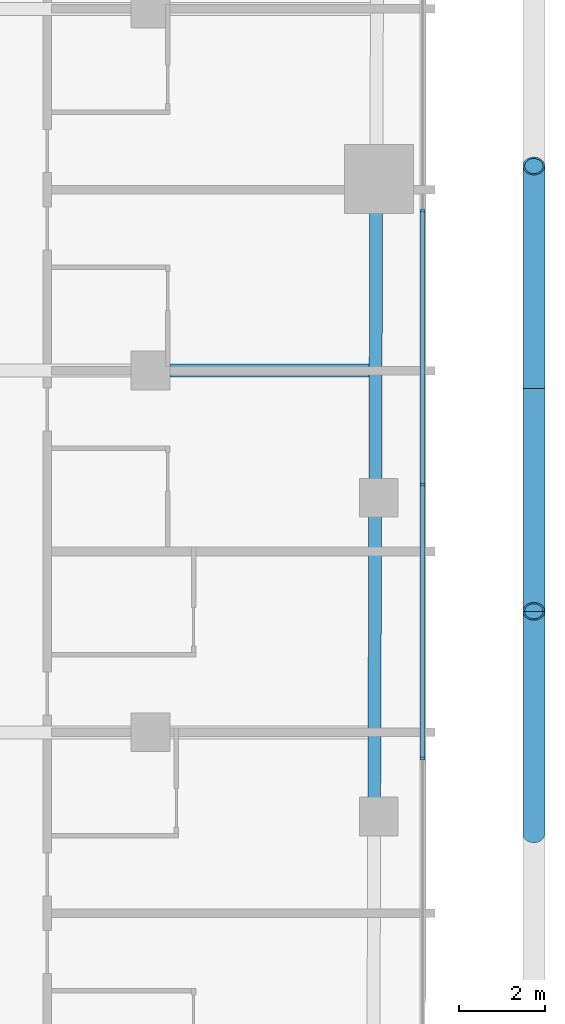
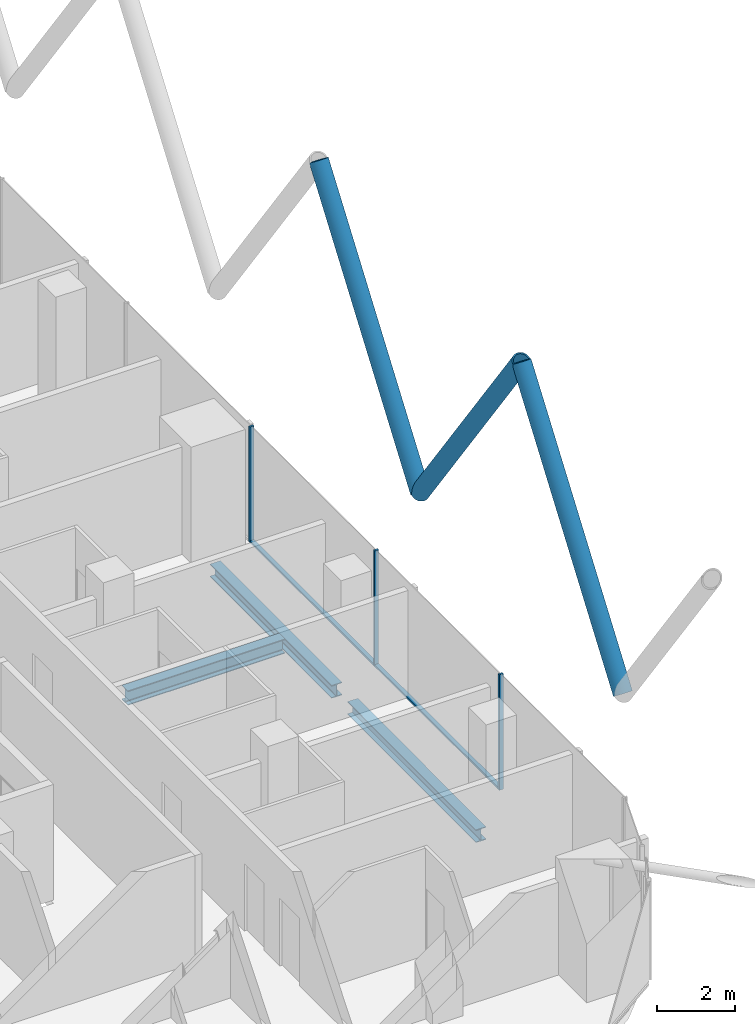
# One storey, part 8 of 33: 8 members, 3 beams, 1 element without a shape of its own.
"""IFC4 building model written with IfcOpenShell, lengths in metres."""

from ifc_helpers import new_model, si_unit, direction, frame, origin, origin_2d, place, context, subcontext, project, spatial, rectangle, hollow_circle, i_section, extrude, material, layer, layer_set, material_profile, profile_set, type_object, element, aggregate, save


model = new_model("IFC4")

# Units and contexts
model_context = context("Model", 3, precision=1e-05, world=origin(), true_north=direction((0.0, 1.0)))
body_context = subcontext(model_context, "Body", "Model", "MODEL_VIEW")
ifc_project = project(units=[si_unit("LENGTHUNIT", "METRE"), si_unit("AREAUNIT", "SQUARE_METRE"), si_unit("VOLUMEUNIT", "CUBIC_METRE"), si_unit("PLANEANGLEUNIT", "RADIAN"), si_unit("MASSUNIT", "GRAM", prefix="KILO")], contexts=[model_context])

# Site, building, storey
site_placement = place(None, origin())
site = spatial("IfcSite", under=ifc_project, at=site_placement, CompositionType="ELEMENT")
building_placement = place(site_placement, origin())
building = spatial("IfcBuilding", under=site, at=building_placement, Name="Marenta Gate Hotel Tower", CompositionType="ELEMENT")
storey_placement = place(building_placement, frame((0.0, 0.0, 137.300048828125)))
storey = spatial("IfcBuildingStorey", under=building, at=storey_placement, Name="L31", CompositionType="ELEMENT", Elevation=137.300048828125)

# Members
ifc_material_1 = material(Name="Steel S355J2W", Category="steel")
ifc_material_profile_1 = material_profile(ifc_material_1, hollow_circle(Radius=0.25390625, WallThickness=0.0400390625, at=origin_2d()), Name="CHS 508x40")
ifc_profile_set_1 = profile_set([ifc_material_profile_1], Name="Steel S355J2W")
member_type_1 = type_object("IfcMemberType", Name="Diagrid diagonal Z2 CHS 508x40", PredefinedType="BRACE", material=ifc_profile_set_1)
member_1_placement = place(storey_placement, frame((29.89990234375, -0.420166015625, 3.139892578125), z_axis=(0.0, 0.583279014058, 0.812271870595), x_axis=(-1.0, 0.0, 0.0)))
element("IfcMember", 1, at=member_1_placement, inside=storey, type_object=member_type_1, Name="L31-DG-6", PredefinedType="BRACE", context=body_context, shape_type="SweptSolid", body=[
    extrude(hollow_circle(Radius=0.25390625, WallThickness=0.0400390625, at=origin_2d()), origin(), (0.0, 0.0, 1.0), 8.864013671875),
])
for number, where, z_axis, x_axis, name in (
    (2, (29.89990234375, -0.420166015625, 3.139892578125), (0.0, -0.583260841117, 0.812284919975), (1.0, 0.0, 0.0), "L31-DG-7"),
    (3, (29.89990234375, -10.760009765625, 3.139892578125), (0.0, 0.583260841117, 0.812284919975), (-1.0, 0.0, 0.0), "L31-DG-8"),
):
    element("IfcMember", number, at=place(storey_placement, frame(where, z_axis=z_axis, x_axis=x_axis)), inside=storey, type_object=member_type_1, Name=name, PredefinedType="BRACE", context=body_context, shape_type="SweptSolid", body=[
        extrude(hollow_circle(Radius=0.25390625, WallThickness=0.0400390625, at=origin_2d()), origin(), (0.0, 0.0, 1.0), 8.86376953125),
    ])

# Beams
ifc_material_2 = material(Name="Steel S355", Category="steel")
ifc_material_profile_2 = material_profile(ifc_material_2, i_section(OverallWidth=0.300048828125, OverallDepth=0.39990234375, WebThickness=0.013427734375, FlangeThickness=0.02392578125, FilletRadius=0.027099609375, at=origin_2d()), Name="HEB 400")
ifc_profile_set_2 = profile_set([ifc_material_profile_2], Name="Steel S355")
beam_type_1 = type_object("IfcBeamType", Name="Edge beam HEB 400", PredefinedType="SPANDREL", material=ifc_profile_set_2)
beam_1_placement = place(storey_placement, frame((26.2392578125, 3.68994140625, -0.4599609375), z_axis=(-0.003330441525, -0.999994454064, 0.0), x_axis=(0.999994454064, -0.003330441525, 0.0)))
element("IfcBeam", 4, at=beam_1_placement, inside=storey, type_object=beam_type_1, Name="L31-EB-25", PredefinedType="SPANDREL", context=body_context, shape_type="SweptSolid", body=[
    extrude(i_section(OverallWidth=0.300048828125, OverallDepth=0.39990234375, WebThickness=0.013427734375, FlangeThickness=0.02392578125, FilletRadius=0.027099609375, at=origin_2d()), origin(), (0.0, 0.0, 1.0), 6.23095703125),
])
beam_2_placement = place(storey_placement, frame((26.2158203125, -3.36083984375, -0.4599609375), z_axis=(-0.00333875569, -0.99999442634, 0.0), x_axis=(0.99999442634, -0.00333875569, 0.0)))
element("IfcBeam", 5, at=beam_2_placement, inside=storey, type_object=beam_type_1, Name="L31-EB-26", PredefinedType="SPANDREL", context=body_context, shape_type="SweptSolid", body=[
    extrude(i_section(OverallWidth=0.300048828125, OverallDepth=0.39990234375, WebThickness=0.013427734375, FlangeThickness=0.02392578125, FilletRadius=0.027099609375, at=origin_2d()), origin(), (0.0, 0.0, 1.0), 6.5810546875),
])
ifc_material_3 = material(Name="Steel S355", Category="steel")
ifc_material_profile_3 = material_profile(ifc_material_3, i_section(OverallWidth=0.300048828125, OverallDepth=0.449951171875, WebThickness=0.013916015625, FlangeThickness=0.02587890625, FilletRadius=0.027099609375, at=origin_2d()), Name="HEB 450")
ifc_profile_set_3 = profile_set([ifc_material_profile_3], Name="Steel S355")
beam_type_2 = type_object("IfcBeamType", Name="Girder HEB 450", PredefinedType="BEAM", material=ifc_profile_set_3)
beam_3_placement = place(storey_placement, frame((21.449951171875, 0.0, -0.485107421875), z_axis=(1.0, 0.0, 0.0), x_axis=(0.0, 1.0, 0.0)))
element("IfcBeam", 6, at=beam_3_placement, inside=storey, type_object=beam_type_2, Name="L31-GD-19", PredefinedType="BEAM", context=body_context, shape_type="SweptSolid", body=[
    extrude(i_section(OverallWidth=0.300048828125, OverallDepth=0.449951171875, WebThickness=0.013916015625, FlangeThickness=0.02587890625, FilletRadius=0.027099609375, at=origin_2d()), origin(), (0.0, 0.0, 1.0), 4.626953125),
])

# Curtain wall, members
ifc_material_4 = material(Name="Tinted insulated glass in bronze anodised frame", Category="glass")
ifc_layer = layer(ifc_material_4, 0.1201171875)
ifc_layer_set = layer_set([ifc_layer], Name="Tinted insulated glass in bronze anodised frame")
curtain_wall_type = type_object("IfcCurtainWallType", Name="Tower unitised curtain wall CW1", PredefinedType="NOTDEFINED", material=ifc_layer_set)
curtain_wall_placement = place(storey_placement, origin())
curtain_wall = element("IfcCurtainWall", 7, at=curtain_wall_placement, inside=storey, type_object=curtain_wall_type, Name="CW1 run G19", PredefinedType="NOTDEFINED")
ifc_material_5 = material(Name="Bronze anodised aluminium", Category="aluminium")
ifc_material_profile_4 = material_profile(ifc_material_5, rectangle(XDim=0.1201171875, YDim=0.06005859375, at=origin_2d()), Name="Mullion CW1 60x120 bronze anodised aluminium")
ifc_profile_set_4 = profile_set([ifc_material_profile_4], Name="Bronze anodised aluminium")
member_type_2 = type_object("IfcMemberType", Name="Mullion CW1 60x120 bronze anodised aluminium", PredefinedType="MULLION", material=ifc_profile_set_4)
member_2_placement = place(storey_placement, frame((27.31396484375, -9.008056640625, 0.0), z_axis=(0.0, 0.0, 1.0), x_axis=(-1.0, 0.0, 0.0)))
member_2 = element("IfcMember", 8, at=member_2_placement, type_object=member_type_2, Name="CW1 mullion 2", PredefinedType="MULLION", context=body_context, shape_type="SweptSolid", body=[
    extrude(rectangle(XDim=0.1201171875, YDim=0.06005859375, at=origin_2d()), origin(), (0.0, 0.0, 1.0), 3.599853515625),
])
member_3_placement = place(storey_placement, frame((27.31396484375, -2.64794921875, 0.0), z_axis=(0.0, 0.0, 1.0), x_axis=(-1.0, 0.0, 0.0)))
member_3 = element("IfcMember", 9, at=member_3_placement, type_object=member_type_2, Name="CW1 mullion 3", PredefinedType="MULLION", context=body_context, shape_type="SweptSolid", body=[
    extrude(rectangle(XDim=0.1201171875, YDim=0.06005859375, at=origin_2d()), origin(), (0.0, 0.0, 1.0), 3.599853515625),
])
member_4_placement = place(storey_placement, frame((27.31396484375, 3.7119140625, 0.0), z_axis=(0.0, 0.0, 1.0), x_axis=(-1.0, 0.0, 0.0)))
member_4 = element("IfcMember", 10, at=member_4_placement, type_object=member_type_2, Name="CW1 mullion 4", PredefinedType="MULLION", context=body_context, shape_type="SweptSolid", body=[
    extrude(rectangle(XDim=0.1201171875, YDim=0.06005859375, at=origin_2d()), origin(), (0.0, 0.0, 1.0), 3.599853515625),
])
ifc_material_6 = material(Name="Bronze anodised aluminium", Category="aluminium")
ifc_material_profile_5 = material_profile(ifc_material_6, rectangle(XDim=0.1201171875, YDim=0.06005859375, at=origin_2d()), Name="Transom CW1 60x120 bronze anodised aluminium")
ifc_profile_set_5 = profile_set([ifc_material_profile_5], Name="Bronze anodised aluminium")
member_type_3 = type_object("IfcMemberType", Name="Transom CW1 60x120 bronze anodised aluminium", PredefinedType="USERDEFINED", material=ifc_profile_set_5)
member_5_placement = place(storey_placement, frame((27.31396484375, -8.97802734375, 0.030029296875), z_axis=(0.0, 1.0, 0.0), x_axis=(-1.0, 0.0, 0.0)))
member_5 = element("IfcMember", 11, at=member_5_placement, type_object=member_type_3, Name="CW1 transom 2.1", ObjectType="TRANSOM", PredefinedType="USERDEFINED", context=body_context, shape_type="SweptSolid", body=[
    extrude(rectangle(XDim=0.1201171875, YDim=0.06005859375, at=origin_2d()), origin(), (0.0, 0.0, 1.0), 6.300048828125),
])
member_6_placement = place(storey_placement, frame((27.31396484375, -2.617919921875, 0.030029296875), z_axis=(0.0, 1.0, 0.0), x_axis=(-1.0, 0.0, 0.0)))
member_6 = element("IfcMember", 12, at=member_6_placement, type_object=member_type_3, Name="CW1 transom 3.1", ObjectType="TRANSOM", PredefinedType="USERDEFINED", context=body_context, shape_type="SweptSolid", body=[
    extrude(rectangle(XDim=0.1201171875, YDim=0.06005859375, at=origin_2d()), origin(), (0.0, 0.0, 1.0), 6.2998046875),
])
aggregate(curtain_wall, [member_2, member_3, member_4, member_5, member_6])

save(model, "model.ifc")
